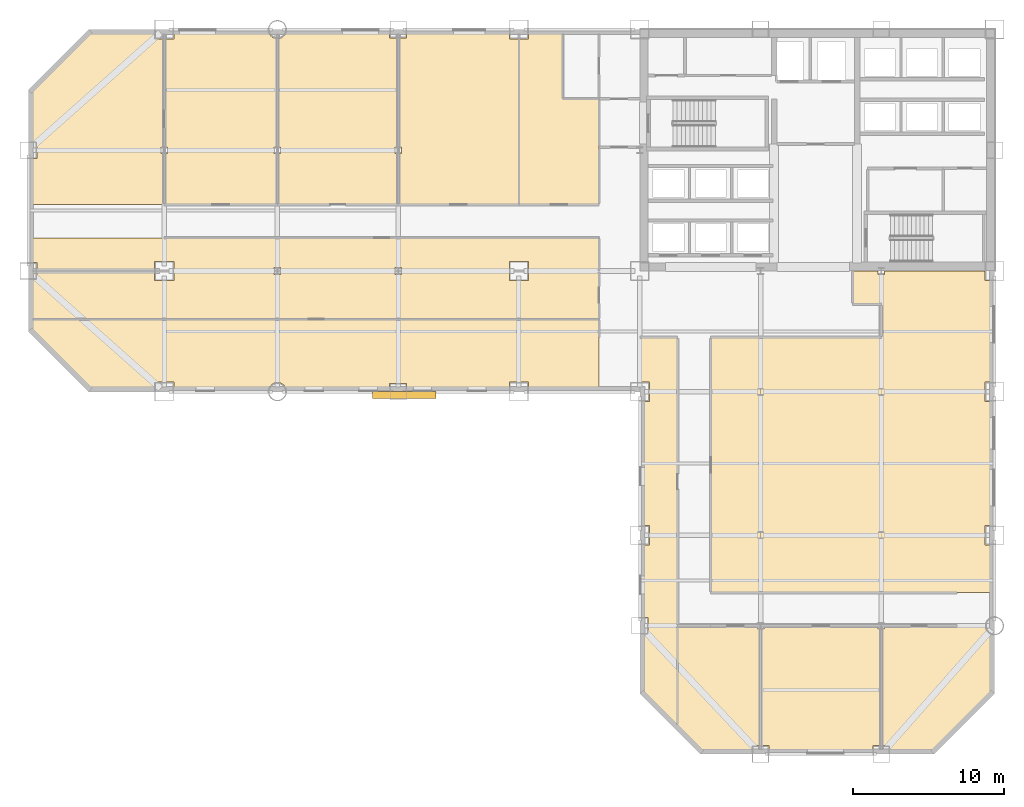
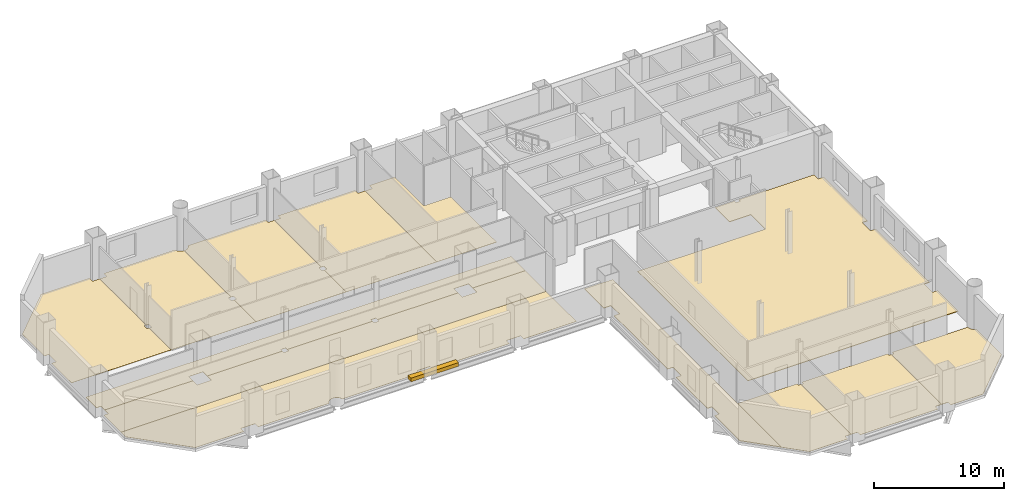
# One storey, part 8 of 9: 13 coverings, 1 shading device.
"""IFC4 building model written with IfcOpenShell, lengths in metres."""

from ifc_helpers import new_model, si_unit, direction, frame, origin, origin_2d, place, context, subcontext, project, spatial, polyline, rectangle, outline, extrude, material, layer, layer_set, type_object, element, save


model = new_model("IFC4")

# Units and contexts
model_context = context("Model", 3, precision=1e-05, world=origin(), true_north=direction((0.0, 1.0)))
body_context = subcontext(model_context, "Body", "Model", "MODEL_VIEW")
ifc_project = project(units=[si_unit("LENGTHUNIT", "METRE"), si_unit("AREAUNIT", "SQUARE_METRE"), si_unit("VOLUMEUNIT", "CUBIC_METRE"), si_unit("PLANEANGLEUNIT", "RADIAN"), si_unit("MASSUNIT", "GRAM", prefix="KILO")], contexts=[model_context])

# Site, building, storey
site_placement = place(None, origin())
site = spatial("IfcSite", under=ifc_project, at=site_placement, CompositionType="ELEMENT")
building_placement = place(site_placement, origin())
building = spatial("IfcBuilding", under=site, at=building_placement, Name="Qianrong Seaharbour Tower", CompositionType="ELEMENT")
storey_placement = place(building_placement, frame((0.0, 0.0, 48.199951171875)))
storey = spatial("IfcBuildingStorey", under=building, at=storey_placement, Name="L11", CompositionType="ELEMENT", Elevation=48.199951171875)

# Coverings
ifc_material_1 = material(Name="Acoustic modular carpet tile flooring")
ifc_layer_1 = layer(ifc_material_1, 0.02001953125)
ifc_layer_set_1 = layer_set([ifc_layer_1], Name="Acoustic modular carpet tile flooring")
covering_type_1 = type_object("IfcCoveringType", Name="COV-FLOOR-CARPET-20", PredefinedType="FLOORING", material=ifc_layer_set_1)
covering_1_placement = place(storey_placement, origin())
element("IfcCovering", 1, at=covering_1_placement, inside=storey, type_object=covering_type_1, Name="L11 Boardroom 1 Finish Flooring", PredefinedType="FLOORING", context=body_context, shape_type="SweptSolid", body=[
    extrude(outline(polyline([(0.1650390625, 43.43994140625), (0.56005859375, 43.43994140625), (0.56005859375, 44.56005859375), (0.1650390625, 44.56005859375), (0.1650390625, 47.931640625), (4.068359375, 51.8349609375), (8.364990234375, 51.8349609375), (8.364990234375, 51.364990234375), (9.0, 51.364990234375), (9.0, 44.22412109375), (8.78662109375, 44.22412109375), (8.78662109375, 43.77587890625), (9.0, 43.77587890625), (9.0, 40.39990234375), (0.1650390625, 40.39990234375), (0.1650390625, 43.43994140625)])), origin(), (0.0, 0.0, 1.0), 0.02001953125),
])
covering_2_placement = place(storey_placement, origin())
element("IfcCovering", 2, at=covering_2_placement, inside=storey, type_object=covering_type_1, Name="L11 Meeting Room 2 Finish Flooring", PredefinedType="FLOORING", context=body_context, shape_type="SweptSolid", body=[
    extrude(outline(polyline([(9.0, 43.77587890625), (9.21337890625, 43.77587890625), (9.21337890625, 44.22412109375), (9.0, 44.22412109375), (9.0, 51.364990234375), (9.635009765625, 51.364990234375), (9.635009765625, 51.8349609375), (15.915771484375, 51.8349609375), (15.936279296875, 51.7666015625), (15.992919921875, 51.6611328125), (16.068603515625, 51.568603515625), (16.1611328125, 51.492919921875), (16.2666015625, 51.436279296875), (16.381103515625, 51.401611328125), (16.5, 51.389892578125), (16.5, 44.22412109375), (16.28662109375, 44.22412109375), (16.28662109375, 43.77587890625), (16.5, 43.77587890625), (16.5, 40.39990234375), (9.0, 40.39990234375), (9.0, 43.77587890625)])), origin(), (0.0, 0.0, 1.0), 0.02001953125),
])
covering_3_placement = place(storey_placement, origin())
element("IfcCovering", 3, at=covering_3_placement, inside=storey, type_object=covering_type_1, Name="L11 Project Library 3 Finish Flooring", PredefinedType="FLOORING", context=body_context, shape_type="SweptSolid", body=[
    extrude(outline(polyline([(16.5, 43.77587890625), (16.71337890625, 43.77587890625), (16.71337890625, 44.22412109375), (16.5, 44.22412109375), (16.5, 51.389892578125), (16.618896484375, 51.401611328125), (16.7333984375, 51.436279296875), (16.8388671875, 51.492919921875), (16.931396484375, 51.568603515625), (17.007080078125, 51.6611328125), (17.063720703125, 51.7666015625), (17.084228515625, 51.8349609375), (23.93994140625, 51.8349609375), (23.93994140625, 51.43994140625), (24.5, 51.43994140625), (24.5, 44.22412109375), (24.28662109375, 44.22412109375), (24.28662109375, 43.77587890625), (24.5, 43.77587890625), (24.5, 40.39990234375), (16.5, 40.39990234375), (16.5, 43.77587890625)])), origin(), (0.0, 0.0, 1.0), 0.02001953125),
])
covering_4_placement = place(storey_placement, origin())
element("IfcCovering", 4, at=covering_4_placement, inside=storey, type_object=covering_type_1, Name="L11 Training Seminar Room 4 Finish Flooring", PredefinedType="FLOORING", context=body_context, shape_type="SweptSolid", body=[
    extrude(outline(polyline([(24.5, 43.77587890625), (24.71337890625, 43.77587890625), (24.71337890625, 44.22412109375), (24.5, 44.22412109375), (24.5, 51.43994140625), (25.06005859375, 51.43994140625), (25.06005859375, 51.8349609375), (31.864990234375, 51.8349609375), (31.864990234375, 51.364990234375), (32.5, 51.364990234375), (32.5, 40.39990234375), (24.5, 40.39990234375), (24.5, 43.77587890625)])), origin(), (0.0, 0.0, 1.0), 0.02001953125),
])
covering_5_placement = place(storey_placement, origin())
element("IfcCovering", 5, at=covering_5_placement, inside=storey, type_object=covering_type_1, Name="L11 Boardroom 5 Finish Flooring", PredefinedType="FLOORING", context=body_context, shape_type="SweptSolid", body=[
    extrude(outline(polyline([(32.5, 51.364990234375), (33.135009765625, 51.364990234375), (33.135009765625, 51.8349609375), (35.39990234375, 51.8349609375), (35.39990234375, 47.39990234375), (37.800048828125, 47.39990234375), (37.800048828125, 40.39990234375), (32.5, 40.39990234375), (32.5, 51.364990234375)])), origin(), (0.0, 0.0, 1.0), 0.02001953125),
])
covering_6_placement = place(storey_placement, origin())
element("IfcCovering", 6, at=covering_6_placement, inside=storey, type_object=covering_type_1, Name="L11 Harbour Lecture Hall 1 Finish Flooring", PredefinedType="FLOORING", context=body_context, shape_type="SweptSolid", body=[
    extrude(outline(polyline([(33.135009765625, 28.1650390625), (33.135009765625, 28.635009765625), (31.864990234375, 28.635009765625), (31.864990234375, 28.1650390625), (25.06005859375, 28.1650390625), (25.06005859375, 28.56005859375), (23.93994140625, 28.56005859375), (23.93994140625, 28.1650390625), (17.084228515625, 28.1650390625), (17.063720703125, 28.2333984375), (17.007080078125, 28.3388671875), (16.931396484375, 28.431396484375), (16.8388671875, 28.507080078125), (16.7333984375, 28.563720703125), (16.618896484375, 28.598388671875), (16.5, 28.610107421875), (16.381103515625, 28.598388671875), (16.2666015625, 28.563720703125), (16.1611328125, 28.507080078125), (16.068603515625, 28.431396484375), (15.992919921875, 28.3388671875), (15.936279296875, 28.2333984375), (15.915771484375, 28.1650390625), (9.635009765625, 28.1650390625), (9.635009765625, 28.635009765625), (8.364990234375, 28.635009765625), (8.364990234375, 28.1650390625), (4.068359375, 28.1650390625), (0.1650390625, 32.068359375), (0.1650390625, 32.800048828125), (37.800048828125, 32.800048828125), (37.800048828125, 28.1650390625), (33.135009765625, 28.1650390625)])), origin(), (0.0, 0.0, 1.0), 0.02001953125),
])
covering_7_placement = place(storey_placement, origin())
element("IfcCovering", 7, at=covering_7_placement, inside=storey, type_object=covering_type_1, Name="L11 Division Conference Gallery 2 Finish Flooring", PredefinedType="FLOORING", context=body_context, shape_type="SweptSolid", body=[
    extrude(outline(polyline([(0.1650390625, 32.800048828125), (0.1650390625, 35.43994140625), (0.56005859375, 35.43994140625), (0.56005859375, 36.0), (8.364990234375, 36.0), (8.364990234375, 35.364990234375), (9.635009765625, 35.364990234375), (9.635009765625, 36.0), (16.28662109375, 36.0), (16.28662109375, 35.77587890625), (16.71337890625, 35.77587890625), (16.71337890625, 36.0), (24.28662109375, 36.0), (24.28662109375, 35.77587890625), (24.71337890625, 35.77587890625), (24.71337890625, 36.0), (31.864990234375, 36.0), (31.864990234375, 35.364990234375), (33.135009765625, 35.364990234375), (33.135009765625, 36.0), (37.800048828125, 36.0), (37.800048828125, 32.800048828125), (0.1650390625, 32.800048828125)])), origin(), (0.0, 0.0, 1.0), 0.02001953125),
])
covering_8_placement = place(storey_placement, origin())
element("IfcCovering", 8, at=covering_8_placement, inside=storey, type_object=covering_type_1, Name="L11 Wet Pantry 3 Finish Flooring", PredefinedType="FLOORING", context=body_context, shape_type="SweptSolid", body=[
    extrude(outline(polyline([(33.135009765625, 36.0), (33.135009765625, 36.635009765625), (31.864990234375, 36.635009765625), (31.864990234375, 36.0), (24.71337890625, 36.0), (24.71337890625, 36.22412109375), (24.28662109375, 36.22412109375), (24.28662109375, 36.0), (16.71337890625, 36.0), (16.71337890625, 36.22412109375), (16.28662109375, 36.22412109375), (16.28662109375, 36.0), (9.635009765625, 36.0), (9.635009765625, 36.635009765625), (8.364990234375, 36.635009765625), (8.364990234375, 36.0), (0.56005859375, 36.0), (0.56005859375, 36.56005859375), (0.1650390625, 36.56005859375), (0.1650390625, 38.199951171875), (37.800048828125, 38.199951171875), (37.800048828125, 36.0), (33.135009765625, 36.0)])), origin(), (0.0, 0.0, 1.0), 0.02001953125),
])
covering_9_placement = place(storey_placement, origin())
element("IfcCovering", 9, at=covering_9_placement, inside=storey, type_object=covering_type_1, Name="L11 Maritime Seminar Room 1 Finish Flooring", PredefinedType="FLOORING", context=body_context, shape_type="SweptSolid", body=[
    extrude(outline(polyline([(48.5, 4.56005859375), (47.93994140625, 4.56005859375), (47.93994140625, 4.1650390625), (44.568359375, 4.1650390625), (43.0, 5.7333984375), (43.0, 12.5), (48.28662109375, 12.5), (48.28662109375, 12.27587890625), (48.5, 12.27587890625), (48.5, 4.56005859375)])), origin(), (0.0, 0.0, 1.0), 0.02001953125),
])
covering_10_placement = place(storey_placement, origin())
element("IfcCovering", 10, at=covering_10_placement, inside=storey, type_object=covering_type_1, Name="L11 Meeting Room 2 Finish Flooring", PredefinedType="FLOORING", context=body_context, shape_type="SweptSolid", body=[
    extrude(outline(polyline([(56.5, 4.56005859375), (55.93994140625, 4.56005859375), (55.93994140625, 4.1650390625), (49.06005859375, 4.1650390625), (49.06005859375, 4.56005859375), (48.5, 4.56005859375), (48.5, 12.27587890625), (48.71337890625, 12.27587890625), (48.71337890625, 12.5), (56.28662109375, 12.5), (56.28662109375, 12.27587890625), (56.5, 12.27587890625), (56.5, 4.56005859375)])), origin(), (0.0, 0.0, 1.0), 0.02001953125),
])
covering_11_placement = place(storey_placement, origin())
element("IfcCovering", 11, at=covering_11_placement, inside=storey, type_object=covering_type_1, Name="L11 Standards Library 3 Finish Flooring", PredefinedType="FLOORING", context=body_context, shape_type="SweptSolid", body=[
    extrude(outline(polyline([(63.8349609375, 8.068359375), (59.931640625, 4.1650390625), (57.06005859375, 4.1650390625), (57.06005859375, 4.56005859375), (56.5, 4.56005859375), (56.5, 12.27587890625), (56.71337890625, 12.27587890625), (56.71337890625, 12.5), (63.389892578125, 12.5), (63.401611328125, 12.381103515625), (63.436279296875, 12.2666015625), (63.492919921875, 12.1611328125), (63.568603515625, 12.068603515625), (63.6611328125, 11.992919921875), (63.7666015625, 11.936279296875), (63.8349609375, 11.915771484375), (63.8349609375, 8.068359375)])), origin(), (0.0, 0.0, 1.0), 0.02001953125),
])
ifc_material_2 = material(Name="Calcium-sulphate raised access floor tile")
ifc_layer_2 = layer(ifc_material_2, 0.044921875)
ifc_layer_set_2 = layer_set([ifc_layer_2], Name="Calcium-sulphate raised access floor tile")
covering_type_2 = type_object("IfcCoveringType", Name="COV-FLOOR-RAISED-45", PredefinedType="FLOORING", material=ifc_layer_set_2)
covering_12_placement = place(storey_placement, origin())
element("IfcCovering", 12, at=covering_12_placement, inside=storey, type_object=covering_type_2, Name="L11 South Wing Open-Plan Office Finish Flooring", PredefinedType="FLOORING", context=body_context, shape_type="SweptSolid", body=[
    extrude(outline(polyline([(56.5, 31.60009765625), (56.5, 33.800048828125), (54.60009765625, 33.800048828125), (54.60009765625, 36.0), (56.28662109375, 36.0), (56.28662109375, 35.77587890625), (56.71337890625, 35.77587890625), (56.71337890625, 36.0), (63.364990234375, 36.0), (63.364990234375, 35.364990234375), (63.8349609375, 35.364990234375), (63.8349609375, 28.635009765625), (63.364990234375, 28.635009765625), (63.364990234375, 27.364990234375), (63.8349609375, 27.364990234375), (63.8349609375, 19.135009765625), (63.364990234375, 19.135009765625), (63.364990234375, 17.864990234375), (63.8349609375, 17.864990234375), (63.8349609375, 14.699951171875), (45.199951171875, 14.699951171875), (45.199951171875, 31.60009765625), (56.5, 31.60009765625)])), origin(), (0.0, 0.0, 1.0), 0.045166015625),
])
covering_13_placement = place(storey_placement, origin())
element("IfcCovering", 13, at=covering_13_placement, inside=storey, type_object=covering_type_2, Name="L11 West Spine Open-Plan Office Finish Flooring", PredefinedType="FLOORING", context=body_context, shape_type="SweptSolid", body=[
    extrude(outline(polyline([(43.0, 5.7333984375), (40.6650390625, 8.068359375), (40.6650390625, 11.93994140625), (41.06005859375, 11.93994140625), (41.06005859375, 13.06005859375), (40.6650390625, 13.06005859375), (40.6650390625, 17.864990234375), (41.135009765625, 17.864990234375), (41.135009765625, 19.135009765625), (40.6650390625, 19.135009765625), (40.6650390625, 27.364990234375), (41.135009765625, 27.364990234375), (41.135009765625, 28.635009765625), (40.5, 28.635009765625), (40.5, 31.60009765625), (43.0, 31.60009765625), (43.0, 5.7333984375)])), origin(), (0.0, 0.0, 1.0), 0.045166015625),
])

# Shading device
ifc_material_3 = material(Name="White architectural precast concrete C45/55", Category="concrete")
shading_device_type = type_object("IfcShadingDeviceType", Name="SHD-SUNSHADE-WHITE-320", PredefinedType="AWNING", material=ifc_material_3)
shading_device_placement = place(storey_placement, frame((24.91259765625, 27.780029296875, -0.02001953125), z_axis=(0.0, 0.0, 1.0), x_axis=(1.0, 0.0, 0.0)))
element("IfcShadingDevice", 14, at=shading_device_placement, inside=storey, type_object=shading_device_type, Name="L11 Climbing White Precast Ribbon Canopy Fin", PredefinedType="AWNING", context=body_context, shape_type="SweptSolid", body=[
    extrude(rectangle(XDim=4.199951171875, YDim=0.4599609375, at=origin_2d()), origin(), (0.0, 0.0, 1.0), 0.340087890625),
])

save(model, "model.ifc")
